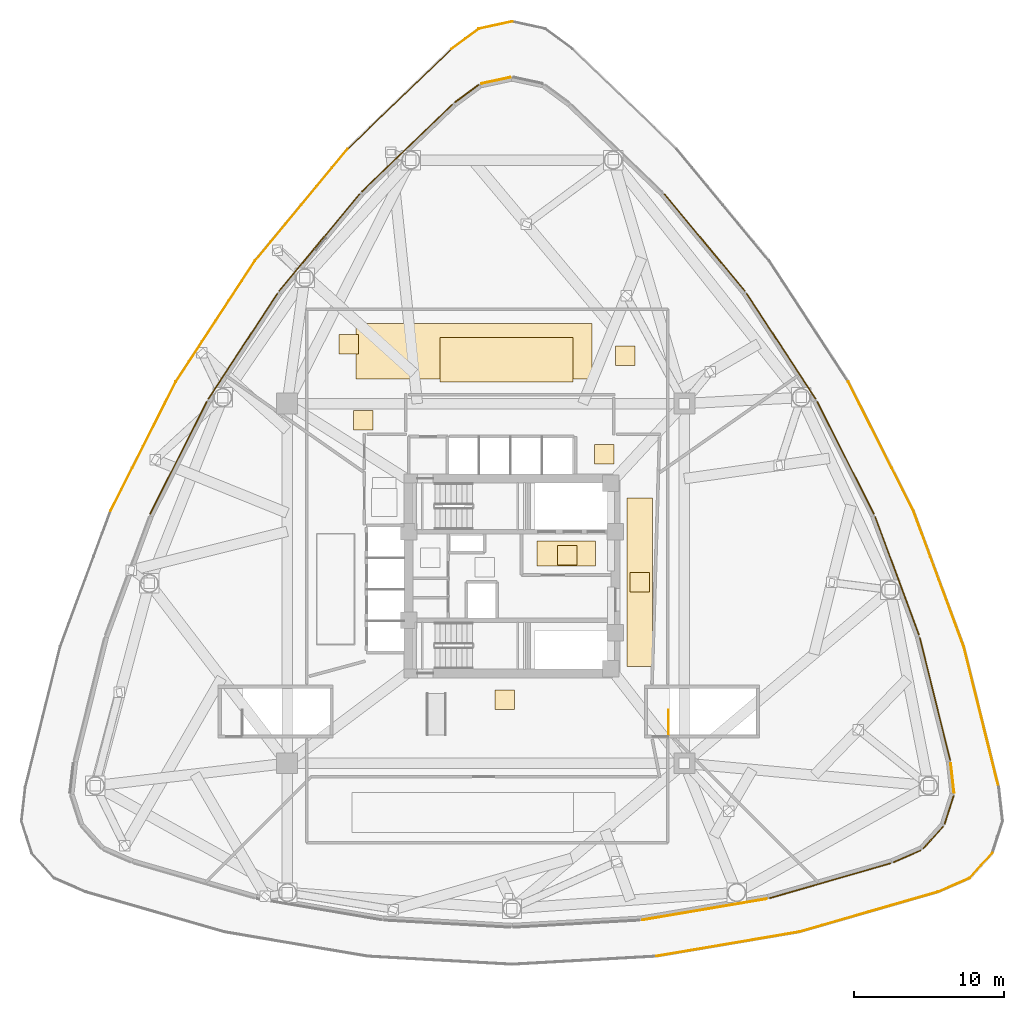
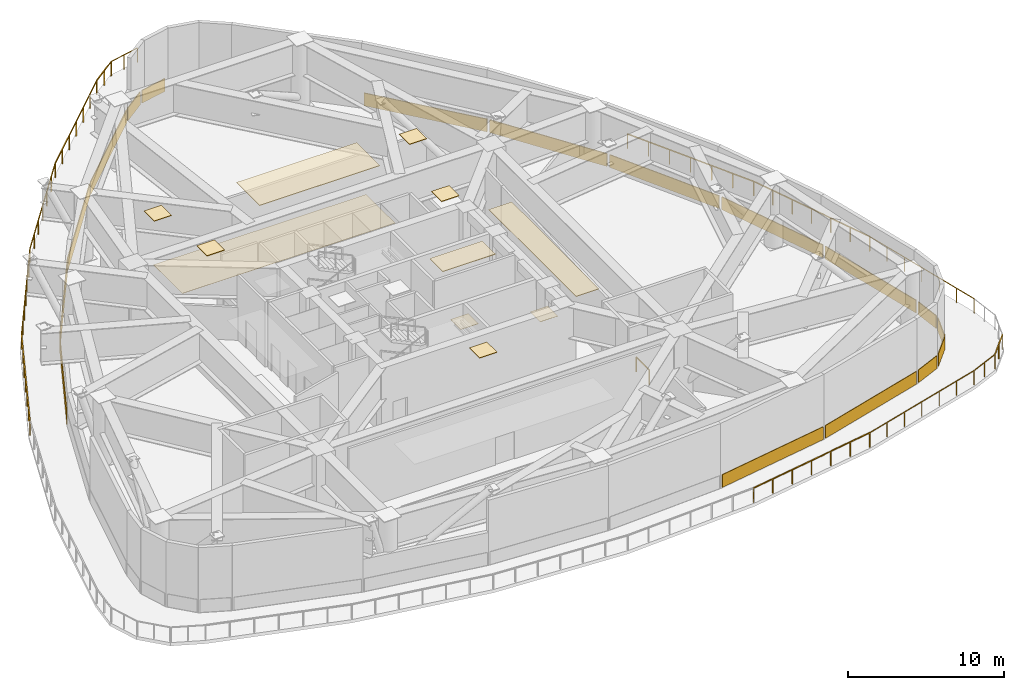
# One storey, part 8 of 9: 28 coverings, 14 railings.
"""IFC4 building model written with IfcOpenShell, lengths in metres."""

from ifc_helpers import new_model, si_unit, direction, frame, origin, origin_2d, place, context, subcontext, project, spatial, polyline, rectangle, outline, extrude, material, layer, layer_set, type_object, element, save


model = new_model("IFC4")

# Units and contexts
model_context = context("Model", 3, precision=1e-05, world=origin(), true_north=direction((0.0, 1.0)))
body_context = subcontext(model_context, "Body", "Model", "MODEL_VIEW")
ifc_project = project(units=[si_unit("LENGTHUNIT", "METRE"), si_unit("AREAUNIT", "SQUARE_METRE"), si_unit("VOLUMEUNIT", "CUBIC_METRE"), si_unit("PLANEANGLEUNIT", "RADIAN"), si_unit("MASSUNIT", "GRAM", prefix="KILO")], contexts=[model_context])

# Site, building, storey
site_placement = place(None, origin())
site = spatial("IfcSite", under=ifc_project, at=site_placement, CompositionType="ELEMENT")
building_placement = place(site_placement, origin())
building = spatial("IfcBuilding", under=site, at=building_placement, Name="Tavelor Broadcast Tower", CompositionType="ELEMENT")
storey_placement = place(building_placement, frame((0.0, 0.0, 22.199951171875)))
storey = spatial("IfcBuildingStorey", under=building, at=storey_placement, Name="L04", CompositionType="ELEMENT", Elevation=22.199951171875)

# Coverings
ifc_material_1 = material(Name="Copper-Bronze Anodized Aluminium", Category="aluminium")
ifc_layer_1 = layer(ifc_material_1, 0.044921875)
ifc_layer_set_1 = layer_set([ifc_layer_1], Name="Copper-Bronze Anodized Aluminium")
covering_type_1 = type_object("IfcCoveringType", Name="Anodised Bronze Linear Slatted Concourse Ceiling 45 mm", PredefinedType="CEILING", material=ifc_layer_set_1)
covering_1_placement = place(storey_placement, frame((0.0, 0.0, 5.054931640625)))
element("IfcCovering", 1, at=covering_1_placement, inside=storey, type_object=covering_type_1, Name="L04 Suspended Acoustic Ceiling 0102", PredefinedType="CEILING", context=body_context, shape_type="SweptSolid", body=[
    extrude(outline(polyline([(51.659912109375, 45.654296875), (55.55712890625, 45.654296875), (55.55712890625, 47.331787109375), (51.659912109375, 47.331787109375), (51.659912109375, 45.654296875)])), origin(), (0.0, 0.0, 1.0), 0.045166015625),
])
ifc_material_2 = material(Name="Architectural Anodized Aluminium", Category="aluminium")
ifc_layer_2 = layer(ifc_material_2, 0.034912109375)
ifc_layer_set_2 = layer_set([ifc_layer_2], Name="Architectural Anodized Aluminium")
covering_type_2 = type_object("IfcCoveringType", Name="Demountable Metal Tile Corridor Ceiling 35 mm", PredefinedType="CEILING", material=ifc_layer_set_2)
covering_2_placement = place(storey_placement, frame((0.0, 0.0, 5.06494140625)))
element("IfcCovering", 2, at=covering_2_placement, inside=storey, type_object=covering_type_2, Name="L04 Suspended Acoustic Ceiling 0106", PredefinedType="CEILING", context=body_context, shape_type="SweptSolid", body=[
    extrude(outline(polyline([(55.506591796875, 52.47509765625), (56.806640625, 52.47509765625), (56.806640625, 53.77490234375), (55.506591796875, 53.77490234375), (55.506591796875, 52.47509765625)])), origin(), (0.0, 0.0, 1.0), 0.03515625),
])
covering_3_placement = place(storey_placement, frame((0.0, 0.0, 5.06494140625)))
element("IfcCovering", 3, at=covering_3_placement, inside=storey, type_object=covering_type_2, Name="L04 Suspended Acoustic Ceiling 0107", PredefinedType="CEILING", context=body_context, shape_type="SweptSolid", body=[
    extrude(outline(polyline([(57.673095703125, 38.96484375), (59.376708984375, 38.96484375), (59.376708984375, 50.18505859375), (57.673095703125, 50.18505859375), (57.673095703125, 38.96484375)])), origin(), (0.0, 0.0, 1.0), 0.03515625),
])
covering_4_placement = place(storey_placement, frame((0.0, 0.0, 5.06494140625)))
element("IfcCovering", 4, at=covering_4_placement, inside=storey, type_object=covering_type_2, Name="L04 Suspended Acoustic Ceiling 0108", PredefinedType="CEILING", context=body_context, shape_type="SweptSolid", body=[
    extrude(outline(polyline([(48.86328125, 36.102783203125), (50.163330078125, 36.102783203125), (50.163330078125, 37.40283203125), (48.86328125, 37.40283203125), (48.86328125, 36.102783203125)])), origin(), (0.0, 0.0, 1.0), 0.03515625),
])
ifc_material_3 = material(Name="Acoustic Nylon Carpet Tile")
ifc_layer_3 = layer(ifc_material_3, 0.02001953125)
ifc_layer_set_3 = layer_set([ifc_layer_3], Name="Acoustic Nylon Carpet Tile")
covering_type_3 = type_object("IfcCoveringType", Name="Heavy-Duty Acoustic Broadcast Carpet Tile 20 mm", PredefinedType="FLOORING", material=ifc_layer_set_3)
covering_5_placement = place(storey_placement, origin())
element("IfcCovering", 5, at=covering_5_placement, inside=storey, type_object=covering_type_3, Name="L04 Broadcast Floor Finish 0046", PredefinedType="FLOORING", context=body_context, shape_type="SweptSolid", body=[
    extrude(outline(polyline([(57.875, 43.925048828125), (59.175048828125, 43.925048828125), (59.175048828125, 45.22509765625), (57.875, 45.22509765625), (57.875, 43.925048828125)])), origin(), (0.0, 0.0, 1.0), 0.02001953125),
])
covering_6_placement = place(storey_placement, origin())
element("IfcCovering", 6, at=covering_6_placement, inside=storey, type_object=covering_type_3, Name="L04 Broadcast Floor Finish 0048", PredefinedType="FLOORING", context=body_context, shape_type="SweptSolid", body=[
    extrude(outline(polyline([(39.585205078125, 58.15234375), (55.337890625, 58.15234375), (55.337890625, 61.857666015625), (39.585205078125, 61.857666015625), (39.585205078125, 58.15234375)])), origin(), (0.0, 0.0, 1.0), 0.02001953125),
])
ifc_material_4 = material(Name="Honed Natural Limestone Tile", Category="masonry")
ifc_layer_4 = layer(ifc_material_4, 0.030029296875)
ifc_layer_set_4 = layer_set([ifc_layer_4], Name="Honed Natural Limestone Tile")
covering_type_4 = type_object("IfcCoveringType", Name="Honed Jerusalem Limestone Concourse Flooring 30 mm", PredefinedType="FLOORING", material=ifc_layer_set_4)
covering_7_placement = place(storey_placement, origin())
element("IfcCovering", 7, at=covering_7_placement, inside=storey, type_object=covering_type_4, Name="L04 Broadcast Floor Finish 0044", PredefinedType="FLOORING", context=body_context, shape_type="SweptSolid", body=[
    extrude(outline(polyline([(53.030029296875, 45.728515625), (54.330078125, 45.728515625), (54.330078125, 47.028564453125), (53.030029296875, 47.028564453125), (53.030029296875, 45.728515625)])), origin(), (0.0, 0.0, 1.0), 0.030029296875),
])

# Railings
ifc_material_5 = material(Name="Steel S355", Category="steel")
railing_type_1 = type_object("IfcRailingType", Name="Planted Terrace Laminated Glass Balustrade 1150 mm", PredefinedType="BALUSTRADE", material=ifc_material_5)
railing_1_placement = place(storey_placement, frame((50.02099609375, 82.002197265625, 0.0)))
element("IfcRailing", 8, at=railing_1_placement, inside=storey, type_object=railing_type_1, Name="L04 Cascading Garden Terrace 1 Balustrade #96", PredefinedType="BALUSTRADE", context=body_context, shape_type="SweptSolid", body=[
    extrude(rectangle(XDim=0.048095703125, YDim=0.048095703125, at=origin_2d()), frame((0.0, 0.0, 1.1259765625), z_axis=(-0.977593237973, -0.210502876629, 0.0), x_axis=(0.210502876629, -0.977593237973, 0.0)), (0.0, 0.0, 1.0), 2.294189453125),
    extrude(rectangle(XDim=0.0419921875, YDim=0.0419921875, at=origin_2d()), origin(), (0.0, 0.0, 1.0), 1.101806640625),
    extrude(rectangle(XDim=0.0419921875, YDim=0.0419921875, at=origin_2d()), frame((-1.121337890625, -0.241455078125, 0.0)), (0.0, 0.0, 1.0), 1.101806640625),
    extrude(rectangle(XDim=0.0419921875, YDim=0.0419921875, at=origin_2d()), frame((-2.24267578125, -0.48291015625, 0.0)), (0.0, 0.0, 1.0), 1.101806640625),
])
railing_2_placement = place(storey_placement, frame((47.816650390625, 81.53662109375, 0.0)))
element("IfcRailing", 9, at=railing_2_placement, inside=storey, type_object=railing_type_1, Name="L04 Cascading Garden Terrace 1 Balustrade #97", PredefinedType="BALUSTRADE", context=body_context, shape_type="SweptSolid", body=[
    extrude(rectangle(XDim=0.048095703125, YDim=0.048095703125, at=origin_2d()), frame((0.0, 0.0, 1.1259765625), z_axis=(-0.804383976987, -0.594109768954, 0.0), x_axis=(0.594109768954, -0.804383976987, 0.0)), (0.0, 0.0, 1.0), 2.294189453125),
    extrude(rectangle(XDim=0.0419921875, YDim=0.0419921875, at=origin_2d()), origin(), (0.0, 0.0, 1.0), 1.101806640625),
    extrude(rectangle(XDim=0.0419921875, YDim=0.0419921875, at=origin_2d()), frame((-0.9228515625, -0.681640625, 0.0)), (0.0, 0.0, 1.0), 1.101806640625),
    extrude(rectangle(XDim=0.0419921875, YDim=0.0419921875, at=origin_2d()), frame((-1.845458984375, -1.363037109375, 0.0)), (0.0, 0.0, 1.0), 1.101806640625),
])
railing_3_placement = place(storey_placement, frame((45.981201171875, 80.18212890625, 0.0)))
element("IfcRailing", 10, at=railing_3_placement, inside=storey, type_object=railing_type_1, Name="L04 Cascading Garden Terrace 1 Balustrade #98", PredefinedType="BALUSTRADE", context=body_context, shape_type="SweptSolid", body=[
    extrude(rectangle(XDim=0.048095703125, YDim=0.048095703125, at=origin_2d()), frame((0.0, 0.0, 1.1259765625), z_axis=(-0.720308535959, -0.69365381353, 0.0), x_axis=(0.69365381353, -0.720308535959, 0.0)), (0.0, 0.0, 1.0), 9.67236328125),
    extrude(rectangle(XDim=0.0419921875, YDim=0.0419921875, at=origin_2d()), origin(), (0.0, 0.0, 1.0), 1.101806640625),
    extrude(rectangle(XDim=0.0419921875, YDim=0.0419921875, at=origin_2d()), frame((-1.1611328125, -1.1181640625, 0.0)), (0.0, 0.0, 1.0), 1.101806640625),
    extrude(rectangle(XDim=0.0419921875, YDim=0.0419921875, at=origin_2d()), frame((-2.322265625, -2.236328125, 0.0)), (0.0, 0.0, 1.0), 1.101806640625),
    extrude(rectangle(XDim=0.0419921875, YDim=0.0419921875, at=origin_2d()), frame((-3.4833984375, -3.3544921875, 0.0)), (0.0, 0.0, 1.0), 1.101806640625),
    extrude(rectangle(XDim=0.0419921875, YDim=0.0419921875, at=origin_2d()), frame((-4.644775390625, -4.472900390625, 0.0)), (0.0, 0.0, 1.0), 1.101806640625),
    extrude(rectangle(XDim=0.0419921875, YDim=0.0419921875, at=origin_2d()), frame((-5.805908203125, -5.591064453125, 0.0)), (0.0, 0.0, 1.0), 1.101806640625),
    extrude(rectangle(XDim=0.0419921875, YDim=0.0419921875, at=origin_2d()), frame((-6.967041015625, -6.709228515625, 0.0)), (0.0, 0.0, 1.0), 1.101806640625),
])
railing_4_placement = place(storey_placement, frame((39.021728515625, 73.48095703125, 0.0)))
element("IfcRailing", 11, at=railing_4_placement, inside=storey, type_object=railing_type_1, Name="L04 Cascading Garden Terrace 1 Balustrade #99", PredefinedType="BALUSTRADE", context=body_context, shape_type="SweptSolid", body=[
    extrude(rectangle(XDim=0.048095703125, YDim=0.048095703125, at=origin_2d()), frame((0.0, 0.0, 1.1259765625), z_axis=(-0.638069176268, -0.769979042765, 0.0), x_axis=(0.769979042765, -0.638069176268, 0.0)), (0.0, 0.0, 1.0), 9.67236328125),
    extrude(rectangle(XDim=0.0419921875, YDim=0.0419921875, at=origin_2d()), origin(), (0.0, 0.0, 1.0), 1.101806640625),
    extrude(rectangle(XDim=0.0419921875, YDim=0.0419921875, at=origin_2d()), frame((-1.028564453125, -1.2412109375, 0.0)), (0.0, 0.0, 1.0), 1.101806640625),
    extrude(rectangle(XDim=0.0419921875, YDim=0.0419921875, at=origin_2d()), frame((-2.05712890625, -2.482421875, 0.0)), (0.0, 0.0, 1.0), 1.101806640625),
    extrude(rectangle(XDim=0.0419921875, YDim=0.0419921875, at=origin_2d()), frame((-3.0859375, -3.7236328125, 0.0)), (0.0, 0.0, 1.0), 1.101806640625),
    extrude(rectangle(XDim=0.0419921875, YDim=0.0419921875, at=origin_2d()), frame((-4.114501953125, -4.965087890625, 0.0)), (0.0, 0.0, 1.0), 1.101806640625),
    extrude(rectangle(XDim=0.0419921875, YDim=0.0419921875, at=origin_2d()), frame((-5.14306640625, -6.206298828125, 0.0)), (0.0, 0.0, 1.0), 1.101806640625),
    extrude(rectangle(XDim=0.0419921875, YDim=0.0419921875, at=origin_2d()), frame((-6.171630859375, -7.447509765625, 0.0)), (0.0, 0.0, 1.0), 1.101806640625),
])
railing_5_placement = place(storey_placement, frame((32.856689453125, 66.04248046875, 0.0)))
element("IfcRailing", 12, at=railing_5_placement, inside=storey, type_object=railing_type_1, Name="L04 Cascading Garden Terrace 1 Balustrade #100", PredefinedType="BALUSTRADE", context=body_context, shape_type="SweptSolid", body=[
    extrude(rectangle(XDim=0.048095703125, YDim=0.048095703125, at=origin_2d()), frame((0.0, 0.0, 1.1259765625), z_axis=(-0.547790568288, -0.836615499077, 0.0), x_axis=(0.836615499077, -0.547790568288, 0.0)), (0.0, 0.0, 1.0), 9.672607421875),
    extrude(rectangle(XDim=0.0419921875, YDim=0.0419921875, at=origin_2d()), origin(), (0.0, 0.0, 1.0), 1.101806640625),
    extrude(rectangle(XDim=0.0419921875, YDim=0.0419921875, at=origin_2d()), frame((-0.883056640625, -1.3486328125, 0.0)), (0.0, 0.0, 1.0), 1.101806640625),
    extrude(rectangle(XDim=0.0419921875, YDim=0.0419921875, at=origin_2d()), frame((-1.76611328125, -2.697509765625, 0.0)), (0.0, 0.0, 1.0), 1.101806640625),
    extrude(rectangle(XDim=0.0419921875, YDim=0.0419921875, at=origin_2d()), frame((-2.6494140625, -4.046142578125, 0.0)), (0.0, 0.0, 1.0), 1.101806640625),
    extrude(rectangle(XDim=0.0419921875, YDim=0.0419921875, at=origin_2d()), frame((-3.532470703125, -5.394775390625, 0.0)), (0.0, 0.0, 1.0), 1.101806640625),
    extrude(rectangle(XDim=0.0419921875, YDim=0.0419921875, at=origin_2d()), frame((-4.41552734375, -6.74365234375, 0.0)), (0.0, 0.0, 1.0), 1.101806640625),
    extrude(rectangle(XDim=0.0419921875, YDim=0.0419921875, at=origin_2d()), frame((-5.298583984375, -8.09228515625, 0.0)), (0.0, 0.0, 1.0), 1.101806640625),
])
railing_6_placement = place(storey_placement, frame((27.563720703125, 57.9599609375, 0.0)))
element("IfcRailing", 13, at=railing_6_placement, inside=storey, type_object=railing_type_1, Name="L04 Cascading Garden Terrace 1 Balustrade #101", PredefinedType="BALUSTRADE", context=body_context, shape_type="SweptSolid", body=[
    extrude(rectangle(XDim=0.048095703125, YDim=0.048095703125, at=origin_2d()), frame((0.0, 0.0, 1.1259765625), z_axis=(-0.450622888199, -0.892714407093, 0.0), x_axis=(0.892714407093, -0.450622888199, 0.0)), (0.0, 0.0, 1.0), 9.67236328125),
    extrude(rectangle(XDim=0.0419921875, YDim=0.0419921875, at=origin_2d()), origin(), (0.0, 0.0, 1.0), 1.101806640625),
    extrude(rectangle(XDim=0.0419921875, YDim=0.0419921875, at=origin_2d()), frame((-0.7265625, -1.439208984375, 0.0)), (0.0, 0.0, 1.0), 1.101806640625),
    extrude(rectangle(XDim=0.0419921875, YDim=0.0419921875, at=origin_2d()), frame((-1.452880859375, -2.878173828125, 0.0)), (0.0, 0.0, 1.0), 1.101806640625),
    extrude(rectangle(XDim=0.0419921875, YDim=0.0419921875, at=origin_2d()), frame((-2.17919921875, -4.3173828125, 0.0)), (0.0, 0.0, 1.0), 1.101806640625),
    extrude(rectangle(XDim=0.0419921875, YDim=0.0419921875, at=origin_2d()), frame((-2.90576171875, -5.756591796875, 0.0)), (0.0, 0.0, 1.0), 1.101806640625),
    extrude(rectangle(XDim=0.0419921875, YDim=0.0419921875, at=origin_2d()), frame((-3.63232421875, -7.195556640625, 0.0)), (0.0, 0.0, 1.0), 1.101806640625),
    extrude(rectangle(XDim=0.0419921875, YDim=0.0419921875, at=origin_2d()), frame((-4.358642578125, -8.634765625, 0.0)), (0.0, 0.0, 1.0), 1.101806640625),
])
railing_7_placement = place(storey_placement, frame((59.640380859375, 19.631103515625, 0.0)))
element("IfcRailing", 14, at=railing_7_placement, inside=storey, type_object=railing_type_1, Name="L04 Cascading Garden Terrace 1 Balustrade #112", PredefinedType="BALUSTRADE", context=body_context, shape_type="SweptSolid", body=[
    extrude(rectangle(XDim=0.048095703125, YDim=0.048095703125, at=origin_2d()), frame((0.0, 0.0, 1.1259765625), z_axis=(0.985859433013, 0.16757439643, 0.0), x_axis=(-0.16757439643, 0.985859433013, 0.0)), (0.0, 0.0, 1.0), 9.67236328125),
    extrude(rectangle(XDim=0.0419921875, YDim=0.0419921875, at=origin_2d()), origin(), (0.0, 0.0, 1.0), 1.101806640625),
    extrude(rectangle(XDim=0.0419921875, YDim=0.0419921875, at=origin_2d()), frame((1.58935546875, 0.27001953125, 0.0)), (0.0, 0.0, 1.0), 1.101806640625),
    extrude(rectangle(XDim=0.0419921875, YDim=0.0419921875, at=origin_2d()), frame((3.178466796875, 0.540283203125, 0.0)), (0.0, 0.0, 1.0), 1.101806640625),
    extrude(rectangle(XDim=0.0419921875, YDim=0.0419921875, at=origin_2d()), frame((4.767822265625, 0.810546875, 0.0)), (0.0, 0.0, 1.0), 1.101806640625),
    extrude(rectangle(XDim=0.0419921875, YDim=0.0419921875, at=origin_2d()), frame((6.357177734375, 1.08056640625, 0.0)), (0.0, 0.0, 1.0), 1.101806640625),
    extrude(rectangle(XDim=0.0419921875, YDim=0.0419921875, at=origin_2d()), frame((7.9462890625, 1.3505859375, 0.0)), (0.0, 0.0, 1.0), 1.101806640625),
    extrude(rectangle(XDim=0.0419921875, YDim=0.0419921875, at=origin_2d()), frame((9.53564453125, 1.620849609375, 0.0)), (0.0, 0.0, 1.0), 1.101806640625),
])
railing_8_placement = place(storey_placement, frame((69.165283203125, 21.24951171875, 0.0)))
element("IfcRailing", 15, at=railing_8_placement, inside=storey, type_object=railing_type_1, Name="L04 Cascading Garden Terrace 1 Balustrade #113", PredefinedType="BALUSTRADE", context=body_context, shape_type="SweptSolid", body=[
    extrude(rectangle(XDim=0.048095703125, YDim=0.048095703125, at=origin_2d()), frame((0.0, 0.0, 1.1259765625), z_axis=(0.960871662886, 0.276993948422, 0.0), x_axis=(-0.276993948422, 0.960871662886, 0.0)), (0.0, 0.0, 1.0), 9.67236328125),
    extrude(rectangle(XDim=0.0419921875, YDim=0.0419921875, at=origin_2d()), origin(), (0.0, 0.0, 1.0), 1.101806640625),
    extrude(rectangle(XDim=0.0419921875, YDim=0.0419921875, at=origin_2d()), frame((1.549072265625, 0.446533203125, 0.0)), (0.0, 0.0, 1.0), 1.101806640625),
    extrude(rectangle(XDim=0.0419921875, YDim=0.0419921875, at=origin_2d()), frame((3.097900390625, 0.89306640625, 0.0)), (0.0, 0.0, 1.0), 1.101806640625),
    extrude(rectangle(XDim=0.0419921875, YDim=0.0419921875, at=origin_2d()), frame((4.64697265625, 1.339599609375, 0.0)), (0.0, 0.0, 1.0), 1.101806640625),
    extrude(rectangle(XDim=0.0419921875, YDim=0.0419921875, at=origin_2d()), frame((6.196044921875, 1.7861328125, 0.0)), (0.0, 0.0, 1.0), 1.101806640625),
    extrude(rectangle(XDim=0.0419921875, YDim=0.0419921875, at=origin_2d()), frame((7.744873046875, 2.232666015625, 0.0)), (0.0, 0.0, 1.0), 1.101806640625),
    extrude(rectangle(XDim=0.0419921875, YDim=0.0419921875, at=origin_2d()), frame((9.2939453125, 2.67919921875, 0.0)), (0.0, 0.0, 1.0), 1.101806640625),
])
railing_9_placement = place(storey_placement, frame((78.447021484375, 23.92431640625, 0.0)))
element("IfcRailing", 16, at=railing_9_placement, inside=storey, type_object=railing_type_1, Name="L04 Cascading Garden Terrace 1 Balustrade #114", PredefinedType="BALUSTRADE", context=body_context, shape_type="SweptSolid", body=[
    extrude(rectangle(XDim=0.048095703125, YDim=0.048095703125, at=origin_2d()), frame((0.0, 0.0, 1.1259765625), z_axis=(0.916727947477, 0.399512040263, 0.0), x_axis=(-0.399512040263, 0.916727947477, 0.0)), (0.0, 0.0, 1.0), 2.2939453125),
    extrude(rectangle(XDim=0.0419921875, YDim=0.0419921875, at=origin_2d()), origin(), (0.0, 0.0, 1.0), 1.101806640625),
    extrude(rectangle(XDim=0.0419921875, YDim=0.0419921875, at=origin_2d()), frame((1.051513671875, 0.458251953125, 0.0)), (0.0, 0.0, 1.0), 1.101806640625),
    extrude(rectangle(XDim=0.0419921875, YDim=0.0419921875, at=origin_2d()), frame((2.10302734375, 0.91650390625, 0.0)), (0.0, 0.0, 1.0), 1.101806640625),
])
railing_10_placement = place(storey_placement, frame((80.515869140625, 24.816162109375, 0.0)))
element("IfcRailing", 17, at=railing_10_placement, inside=storey, type_object=railing_type_1, Name="L04 Cascading Garden Terrace 1 Balustrade #115", PredefinedType="BALUSTRADE", context=body_context, shape_type="SweptSolid", body=[
    extrude(rectangle(XDim=0.048095703125, YDim=0.048095703125, at=origin_2d()), frame((0.0, 0.0, 1.1259765625), z_axis=(0.671060993092, 0.741402146983, 0.0), x_axis=(-0.741402146983, 0.671060993092, 0.0)), (0.0, 0.0, 1.0), 2.294189453125),
    extrude(rectangle(XDim=0.0419921875, YDim=0.0419921875, at=origin_2d()), origin(), (0.0, 0.0, 1.0), 1.101806640625),
    extrude(rectangle(XDim=0.0419921875, YDim=0.0419921875, at=origin_2d()), frame((0.769775390625, 0.8505859375, 0.0)), (0.0, 0.0, 1.0), 1.101806640625),
    extrude(rectangle(XDim=0.0419921875, YDim=0.0419921875, at=origin_2d()), frame((1.53955078125, 1.700927734375, 0.0)), (0.0, 0.0, 1.0), 1.101806640625),
])
railing_11_placement = place(storey_placement, frame((82.477783203125, 30.88916015625, 0.0)))
element("IfcRailing", 18, at=railing_11_placement, inside=storey, type_object=railing_type_1, Name="L04 Cascading Garden Terrace 1 Balustrade #118", PredefinedType="BALUSTRADE", context=body_context, shape_type="SweptSolid", body=[
    extrude(rectangle(XDim=0.048095703125, YDim=0.048095703125, at=origin_2d()), frame((0.0, 0.0, 1.1259765625), z_axis=(-0.240545540142, 0.970637853742, 0.0), x_axis=(-0.970637853742, -0.240545540142, 0.0)), (0.0, 0.0, 1.0), 9.67236328125),
    extrude(rectangle(XDim=0.0419921875, YDim=0.0419921875, at=origin_2d()), origin(), (0.0, 0.0, 1.0), 1.101806640625),
    extrude(rectangle(XDim=0.0419921875, YDim=0.0419921875, at=origin_2d()), frame((-0.3876953125, 1.564697265625, 0.0)), (0.0, 0.0, 1.0), 1.101806640625),
    extrude(rectangle(XDim=0.0419921875, YDim=0.0419921875, at=origin_2d()), frame((-0.775634765625, 3.12939453125, 0.0)), (0.0, 0.0, 1.0), 1.101806640625),
    extrude(rectangle(XDim=0.0419921875, YDim=0.0419921875, at=origin_2d()), frame((-1.163330078125, 4.6943359375, 0.0)), (0.0, 0.0, 1.0), 1.101806640625),
    extrude(rectangle(XDim=0.0419921875, YDim=0.0419921875, at=origin_2d()), frame((-1.551025390625, 6.259033203125, 0.0)), (0.0, 0.0, 1.0), 1.101806640625),
    extrude(rectangle(XDim=0.0419921875, YDim=0.0419921875, at=origin_2d()), frame((-1.93896484375, 7.82373046875, 0.0)), (0.0, 0.0, 1.0), 1.101806640625),
    extrude(rectangle(XDim=0.0419921875, YDim=0.0419921875, at=origin_2d()), frame((-2.32666015625, 9.388427734375, 0.0)), (0.0, 0.0, 1.0), 1.101806640625),
])
railing_12_placement = place(storey_placement, frame((80.154296875, 40.266845703125, 0.0)))
element("IfcRailing", 19, at=railing_12_placement, inside=storey, type_object=railing_type_1, Name="L04 Cascading Garden Terrace 1 Balustrade #119", PredefinedType="BALUSTRADE", context=body_context, shape_type="SweptSolid", body=[
    extrude(rectangle(XDim=0.048095703125, YDim=0.048095703125, at=origin_2d()), frame((0.0, 0.0, 1.1259765625), z_axis=(-0.347785351631, 0.9375741833, 0.0), x_axis=(-0.9375741833, -0.347785351631, 0.0)), (0.0, 0.0, 1.0), 9.672607421875),
    extrude(rectangle(XDim=0.0419921875, YDim=0.0419921875, at=origin_2d()), origin(), (0.0, 0.0, 1.0), 1.101806640625),
    extrude(rectangle(XDim=0.0419921875, YDim=0.0419921875, at=origin_2d()), frame((-0.560546875, 1.511474609375, 0.0)), (0.0, 0.0, 1.0), 1.101806640625),
    extrude(rectangle(XDim=0.0419921875, YDim=0.0419921875, at=origin_2d()), frame((-1.121337890625, 3.02294921875, 0.0)), (0.0, 0.0, 1.0), 1.101806640625),
    extrude(rectangle(XDim=0.0419921875, YDim=0.0419921875, at=origin_2d()), frame((-1.68212890625, 4.534423828125, 0.0)), (0.0, 0.0, 1.0), 1.101806640625),
    extrude(rectangle(XDim=0.0419921875, YDim=0.0419921875, at=origin_2d()), frame((-2.24267578125, 6.0458984375, 0.0)), (0.0, 0.0, 1.0), 1.101806640625),
    extrude(rectangle(XDim=0.0419921875, YDim=0.0419921875, at=origin_2d()), frame((-2.80322265625, 7.557373046875, 0.0)), (0.0, 0.0, 1.0), 1.101806640625),
    extrude(rectangle(XDim=0.0419921875, YDim=0.0419921875, at=origin_2d()), frame((-3.364013671875, 9.06884765625, 0.0)), (0.0, 0.0, 1.0), 1.101806640625),
])
railing_13_placement = place(storey_placement, frame((76.794921875, 49.3251953125, 0.0)))
element("IfcRailing", 20, at=railing_13_placement, inside=storey, type_object=railing_type_1, Name="L04 Cascading Garden Terrace 1 Balustrade #120", PredefinedType="BALUSTRADE", context=body_context, shape_type="SweptSolid", body=[
    extrude(rectangle(XDim=0.048095703125, YDim=0.048095703125, at=origin_2d()), frame((0.0, 0.0, 1.1259765625), z_axis=(-0.450622888199, 0.892714407093, 0.0), x_axis=(-0.892714407093, -0.450622888199, 0.0)), (0.0, 0.0, 1.0), 9.67236328125),
    extrude(rectangle(XDim=0.0419921875, YDim=0.0419921875, at=origin_2d()), origin(), (0.0, 0.0, 1.0), 1.101806640625),
    extrude(rectangle(XDim=0.0419921875, YDim=0.0419921875, at=origin_2d()), frame((-0.7265625, 1.439208984375, 0.0)), (0.0, 0.0, 1.0), 1.101806640625),
    extrude(rectangle(XDim=0.0419921875, YDim=0.0419921875, at=origin_2d()), frame((-1.452880859375, 2.878173828125, 0.0)), (0.0, 0.0, 1.0), 1.101806640625),
    extrude(rectangle(XDim=0.0419921875, YDim=0.0419921875, at=origin_2d()), frame((-2.17919921875, 4.3173828125, 0.0)), (0.0, 0.0, 1.0), 1.101806640625),
    extrude(rectangle(XDim=0.0419921875, YDim=0.0419921875, at=origin_2d()), frame((-2.90576171875, 5.756591796875, 0.0)), (0.0, 0.0, 1.0), 1.101806640625),
    extrude(rectangle(XDim=0.0419921875, YDim=0.0419921875, at=origin_2d()), frame((-3.63232421875, 7.195556640625, 0.0)), (0.0, 0.0, 1.0), 1.101806640625),
    extrude(rectangle(XDim=0.0419921875, YDim=0.0419921875, at=origin_2d()), frame((-4.358642578125, 8.634765625, 0.0)), (0.0, 0.0, 1.0), 1.101806640625),
])

# Coverings
ifc_material_6 = material(Name="Kiln-Fired Glazed Terracotta", Category="masonry")
ifc_layer_5 = layer(ifc_material_6, 0.06494140625)
ifc_layer_set_5 = layer_set([ifc_layer_5], Name="Kiln-Fired Glazed Terracotta")
covering_type_5 = type_object("IfcCoveringType", Name="Ribbed Terracotta Rainscreen Spandrel Cladding 65 mm", PredefinedType="CLADDING", material=ifc_layer_set_5)
for number, where, z_axis, x_axis, name in (
    (21, (48.93017578125, 78.069580078125, 0.050048828125), (0.0, 0.0, 1.0), (-0.977599937765, -0.210471759821, 0.0), "L04 Terracotta Spandrel Rainscreen 03"),
    (22, (46.979736328125, 77.18896484375, 0.050048828125), (0.0, 0.0, 1.0), (-0.80437563527, -0.594121062902, 0.0), "L04 Terracotta Spandrel Rainscreen 04"),
):
    element("IfcCovering", number, at=place(storey_placement, frame(where, z_axis=z_axis, x_axis=x_axis)), inside=storey, type_object=covering_type_5, Name=name, PredefinedType="CLADDING", context=body_context, shape_type="SweptSolid", body=[
        extrude(rectangle(XDim=1.989013671875, YDim=0.06494140625, at=origin_2d()), origin(), (0.0, 0.0, 1.0), 1.0),
    ])
for number, where, z_axis, x_axis, name in (
    (23, (42.997802734375, 73.552001953125, 0.050048828125), (0.0, 0.0, 1.0), (-0.720309024888, -0.693653305813, 0.0), "L04 Terracotta Spandrel Rainscreen 05"),
    (24, (37.148681640625, 67.249755859375, 0.050048828125), (0.0, 0.0, 1.0), (-0.638096146601, -0.769956692089, 0.0), "L04 Terracotta Spandrel Rainscreen 06"),
    (25, (32.04248046875, 60.331787109375, 0.050048828125), (0.0, 0.0, 1.0), (-0.547855275974, -0.836573126862, 0.0), "L04 Terracotta Spandrel Rainscreen 07"),
    (26, (27.743408203125, 52.885498046875, 0.050048828125), (0.0, 0.0, 1.0), (-0.450565941999, -0.892743150022, 0.0), "L04 Terracotta Spandrel Rainscreen 08"),
    (27, (62.84326171875, 22.74560546875, 0.050048828125), (0.0, 0.0, 1.0), (0.985850128464, 0.167629126969, 0.0), "L04 Terracotta Spandrel Rainscreen 19"),
):
    element("IfcCovering", number, at=place(storey_placement, frame(where, z_axis=z_axis, x_axis=x_axis)), inside=storey, type_object=covering_type_5, Name=name, PredefinedType="CLADDING", context=body_context, shape_type="SweptSolid", body=[
        extrude(rectangle(XDim=8.411865234375, YDim=0.06494140625, at=origin_2d()), origin(), (0.0, 0.0, 1.0), 1.0),
    ])
covering_8_placement = place(storey_placement, frame((71.2255859375, 24.659912109375, 0.050048828125), z_axis=(0.0, 0.0, 1.0), x_axis=(0.960875896697, 0.276979261222, 0.0)))
element("IfcCovering", 28, at=covering_8_placement, inside=storey, type_object=covering_type_5, Name="L04 Terracotta Spandrel Rainscreen 20", PredefinedType="CLADDING", context=body_context, shape_type="SweptSolid", body=[
    extrude(rectangle(XDim=8.41162109375, YDim=0.06494140625, at=origin_2d()), origin(), (0.0, 0.0, 1.0), 1.0),
])
for number, where, z_axis, x_axis, name in (
    (29, (76.366455078125, 26.289794921875, 0.050048828125), (0.0, 0.0, 1.0), (0.916711751032, 0.399549202878, 0.0), "L04 Terracotta Spandrel Rainscreen 21"),
    (30, (78.104248046875, 27.53857421875, 0.050048828125), (0.0, 0.0, 1.0), (0.671073859667, 0.741390500932, 0.0), "L04 Terracotta Spandrel Rainscreen 22"),
    (31, (79.174072265625, 29.391845703125, 0.050048828125), (0.0, 0.0, 1.0), (0.306526078098, 0.951862260753, 0.0), "L04 Terracotta Spandrel Rainscreen 23"),
    (32, (79.38671875, 31.52099609375, 0.050048828125), (0.0, 0.0, 1.0), (-0.112336115762, 0.99367026578, 0.0), "L04 Terracotta Spandrel Rainscreen 24"),
):
    element("IfcCovering", number, at=place(storey_placement, frame(where, z_axis=z_axis, x_axis=x_axis)), inside=storey, type_object=covering_type_5, Name=name, PredefinedType="CLADDING", context=body_context, shape_type="SweptSolid", body=[
        extrude(rectangle(XDim=1.989013671875, YDim=0.06494140625, at=origin_2d()), origin(), (0.0, 0.0, 1.0), 1.0),
    ])
for number, where, z_axis, x_axis, name in (
    (33, (78.227783203125, 36.7880859375, 0.050048828125), (0.0, 0.0, 1.0), (-0.240566871809, 0.970632567035, 0.0), "L04 Terracotta Spandrel Rainscreen 25"),
    (34, (75.6943359375, 45.004638671875, 0.050048828125), (0.0, 0.0, 1.0), (-0.347753981862, 0.937585819058, 0.0), "L04 Terracotta Spandrel Rainscreen 26"),
    (35, (72.256591796875, 52.885498046875, 0.050048828125), (0.0, 0.0, 1.0), (-0.450565941999, 0.892743150022, 0.0), "L04 Terracotta Spandrel Rainscreen 27"),
    (36, (67.95751953125, 60.331787109375, 0.050048828125), (0.0, 0.0, 1.0), (-0.547855275974, 0.836573126862, 0.0), "L04 Terracotta Spandrel Rainscreen 28"),
    (37, (62.851318359375, 67.249755859375, 0.050048828125), (0.0, 0.0, 1.0), (-0.638096146601, 0.769956692089, 0.0), "L04 Terracotta Spandrel Rainscreen 29"),
):
    element("IfcCovering", number, at=place(storey_placement, frame(where, z_axis=z_axis, x_axis=x_axis)), inside=storey, type_object=covering_type_5, Name=name, PredefinedType="CLADDING", context=body_context, shape_type="SweptSolid", body=[
        extrude(rectangle(XDim=8.411865234375, YDim=0.06494140625, at=origin_2d()), origin(), (0.0, 0.0, 1.0), 1.0),
    ])

# Railing
railing_type_2 = type_object("IfcRailingType", Name="Stairwell Steel Safety Guardrail 1150 mm", PredefinedType="GUARDRAIL", material=ifc_material_5)
railing_14_placement = place(storey_placement, frame((60.449951171875, 34.39990234375, 0.0)))
element("IfcRailing", 38, at=railing_14_placement, inside=storey, type_object=railing_type_2, Name="L04 ST4 top well guard 1", PredefinedType="GUARDRAIL", context=body_context, shape_type="SweptSolid", body=[
    extrude(rectangle(XDim=0.048095703125, YDim=0.048095703125, at=origin_2d()), frame((0.0, 0.0, 1.1259765625), z_axis=(0.0, 1.0, 0.0), x_axis=(-1.0, 0.0, 0.0)), (0.0, 0.0, 1.0), 1.650146484375),
    extrude(rectangle(XDim=0.0419921875, YDim=0.0419921875, at=origin_2d()), origin(), (0.0, 0.0, 1.0), 1.101806640625),
    extrude(rectangle(XDim=0.0419921875, YDim=0.0419921875, at=origin_2d()), frame((0.0, 1.650146484375, 0.0)), (0.0, 0.0, 1.0), 1.101806640625),
])

# Coverings
ifc_material_7 = material(Name="Acoustic Mineral Fibre Tile")
ifc_layer_6 = layer(ifc_material_7, 0.0400390625)
ifc_layer_set_6 = layer_set([ifc_layer_6], Name="Acoustic Mineral Fibre Tile")
covering_type_6 = type_object("IfcCoveringType", Name="Suspended Acoustic Mineral-Fibre Office Ceiling 40 mm", PredefinedType="CEILING", material=ifc_layer_set_6)
covering_9_placement = place(storey_placement, frame((0.0, 0.0, 5.06005859375)))
element("IfcCovering", 39, at=covering_9_placement, inside=storey, type_object=covering_type_6, Name="L04 Suspended Acoustic Ceiling 0110", PredefinedType="CEILING", context=body_context, shape_type="SweptSolid", body=[
    extrude(outline(polyline([(39.43896484375, 54.738525390625), (40.739013671875, 54.738525390625), (40.739013671875, 56.03857421875), (39.43896484375, 56.03857421875), (39.43896484375, 54.738525390625)])), origin(), (0.0, 0.0, 1.0), 0.0400390625),
])
covering_10_placement = place(storey_placement, frame((0.0, 0.0, 5.06005859375)))
element("IfcCovering", 40, at=covering_10_placement, inside=storey, type_object=covering_type_6, Name="L04 Suspended Acoustic Ceiling 0111", PredefinedType="CEILING", context=body_context, shape_type="SweptSolid", body=[
    extrude(outline(polyline([(38.44091796875, 59.79736328125), (39.74072265625, 59.79736328125), (39.74072265625, 61.097412109375), (38.44091796875, 61.097412109375), (38.44091796875, 59.79736328125)])), origin(), (0.0, 0.0, 1.0), 0.0400390625),
])
covering_11_placement = place(storey_placement, frame((0.0, 0.0, 5.06005859375)))
element("IfcCovering", 41, at=covering_11_placement, inside=storey, type_object=covering_type_6, Name="L04 Suspended Acoustic Ceiling 0112", PredefinedType="CEILING", context=body_context, shape_type="SweptSolid", body=[
    extrude(outline(polyline([(45.1796875, 57.92919921875), (54.073486328125, 57.92919921875), (54.073486328125, 60.89794921875), (45.1796875, 60.89794921875), (45.1796875, 57.92919921875)])), origin(), (0.0, 0.0, 1.0), 0.0400390625),
])
covering_12_placement = place(storey_placement, frame((0.0, 0.0, 5.06005859375)))
element("IfcCovering", 42, at=covering_12_placement, inside=storey, type_object=covering_type_6, Name="L04 Suspended Acoustic Ceiling 0113", PredefinedType="CEILING", context=body_context, shape_type="SweptSolid", body=[
    extrude(outline(polyline([(56.9091796875, 59.041748046875), (58.209228515625, 59.041748046875), (58.209228515625, 60.341796875), (56.9091796875, 60.341796875), (56.9091796875, 59.041748046875)])), origin(), (0.0, 0.0, 1.0), 0.0400390625),
])

save(model, "model.ifc")
